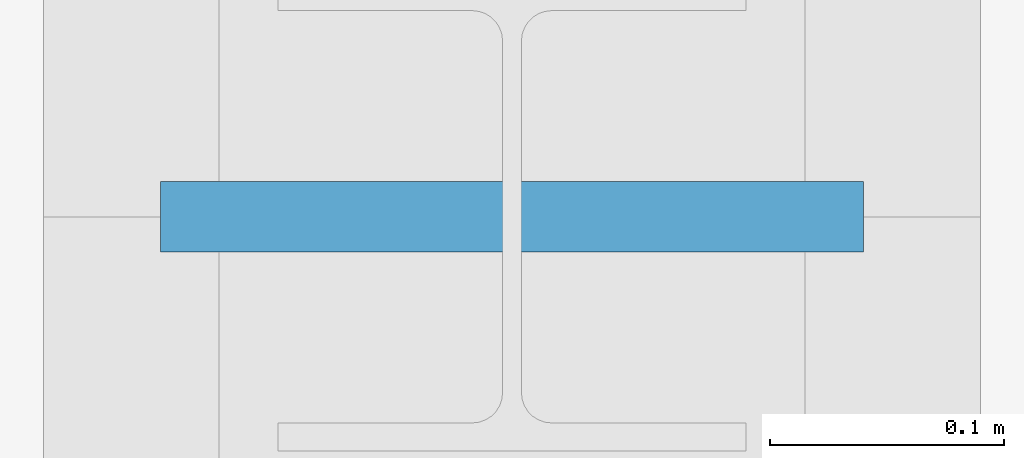
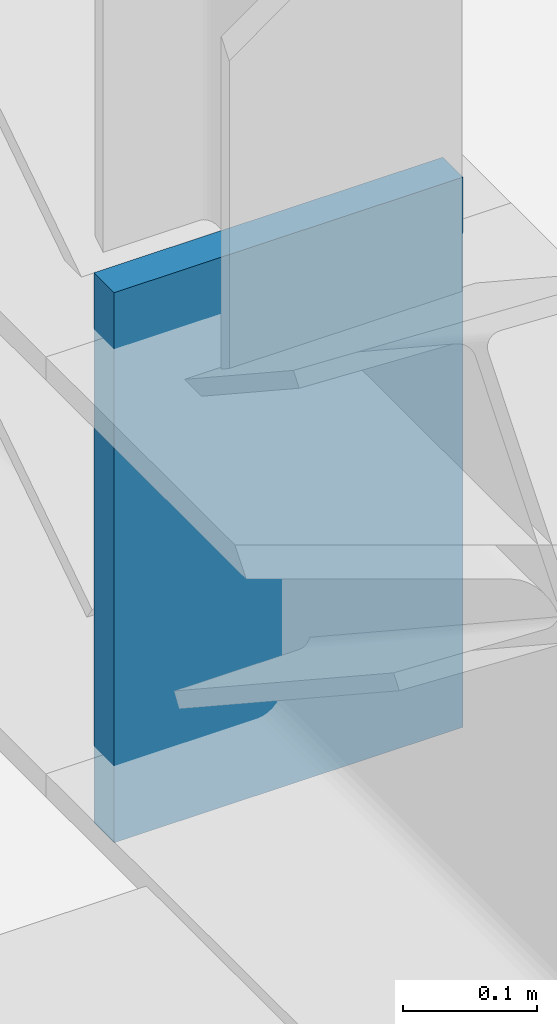
# One storey, part 38 of 49: 1 discrete accessory.
"""IFC4 building model written with IfcOpenShell, lengths in metres."""

from ifc_helpers import new_model, si_unit, direction, frame, origin, origin_2d, place, context, subcontext, project, spatial, rectangle, extrude, material, layer, layer_set, type_object, element, save


model = new_model("IFC4")

# Units and contexts
model_context = context("Model", 3, precision=1e-05, world=origin(), true_north=direction((0.0, 1.0)))
body_context = subcontext(model_context, "Body", "Model", "MODEL_VIEW")
ifc_project = project(units=[si_unit("LENGTHUNIT", "METRE"), si_unit("AREAUNIT", "SQUARE_METRE"), si_unit("VOLUMEUNIT", "CUBIC_METRE"), si_unit("PLANEANGLEUNIT", "RADIAN"), si_unit("MASSUNIT", "GRAM", prefix="KILO")], contexts=[model_context])

# Site, building, storey
site_placement = place(None, origin())
site = spatial("IfcSite", under=ifc_project, at=site_placement, CompositionType="ELEMENT")
building_placement = place(site_placement, origin())
building = spatial("IfcBuilding", under=site, at=building_placement, Name="Hunhe Ridgeline Campus", CompositionType="ELEMENT")
storey_placement = place(building_placement, frame((0.0, 0.0, 21.60009765625)))
storey = spatial("IfcBuildingStorey", under=building, at=storey_placement, Name="L04", CompositionType="ELEMENT", Elevation=21.60009765625)

# Discrete accessory
ifc_material = material(Name="Steel Q355", Category="steel")
ifc_layer = layer(ifc_material, 0.030029296875)
ifc_layer_set = layer_set([ifc_layer], Name="Cast-in plate 300x500x30 Steel Q355")
discrete_accessory_type = type_object("IfcDiscreteAccessoryType", Name="Cast-in plate 300x500x30 Steel Q355", PredefinedType="BRACKET", material=ifc_layer_set)
discrete_accessory_placement = place(storey_placement, frame((189.0, 62.89990234375, 0.539794921875), z_axis=(0.0, 0.0, 1.0), x_axis=(0.0, 1.0, 0.0)))
element("IfcDiscreteAccessory", 1, at=discrete_accessory_placement, inside=storey, type_object=discrete_accessory_type, Name="Roof truss 5 cast-in plate node 6 bottom", PredefinedType="BRACKET", context=body_context, shape_type="SweptSolid", body=[
    extrude(rectangle(XDim=0.030029296875, YDim=0.300048828125, at=origin_2d()), origin(), (0.0, 0.0, 1.0), 0.5),
])

save(model, "model.ifc")
